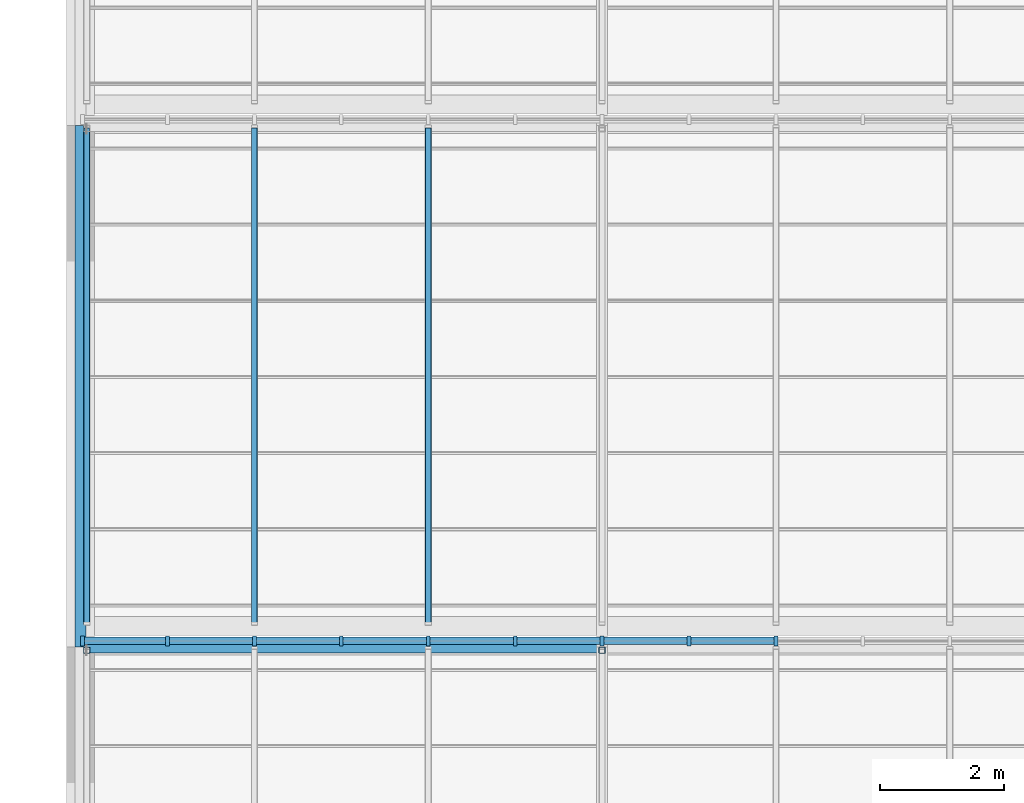
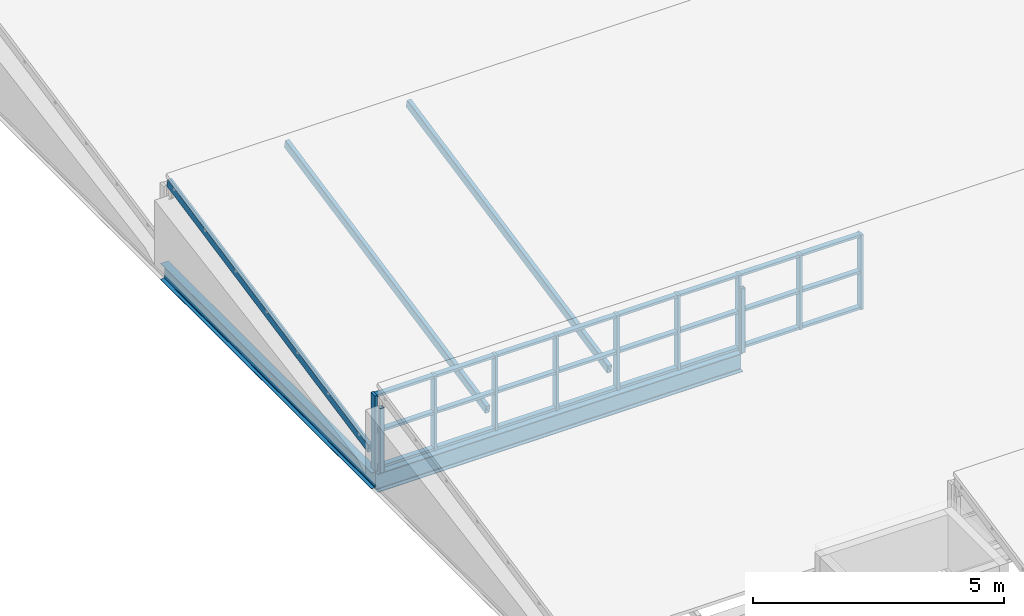
# One storey, part 13 of 121: 38 members, 2 beams, 1 element without a shape of its own.
"""IFC4 building model written with IfcOpenShell, lengths in metres."""

from ifc_helpers import new_model, si_unit, direction, frame, origin, origin_2d, place, context, subcontext, project, spatial, rectangle, hollow_rectangle, i_section, extrude, material, layer, layer_set, material_profile, profile_set, type_object, element, aggregate, save


model = new_model("IFC4")

# Units and contexts
model_context = context("Model", 3, precision=1e-05, world=origin(), true_north=direction((0.0, 1.0)))
body_context = subcontext(model_context, "Body", "Model", "MODEL_VIEW")
ifc_project = project(units=[si_unit("LENGTHUNIT", "METRE"), si_unit("AREAUNIT", "SQUARE_METRE"), si_unit("VOLUMEUNIT", "CUBIC_METRE"), si_unit("PLANEANGLEUNIT", "RADIAN"), si_unit("MASSUNIT", "GRAM", prefix="KILO")], contexts=[model_context])

# Site, building, storey
site_placement = place(None, origin())
site = spatial("IfcSite", under=ifc_project, at=site_placement, CompositionType="ELEMENT")
building_placement = place(site_placement, origin())
building = spatial("IfcBuilding", under=site, at=building_placement, Name="Ardhachandra Cancer Care Centre", CompositionType="ELEMENT")
storey_placement = place(building_placement, frame((0.0, 0.0, 9.0)))
storey = spatial("IfcBuildingStorey", under=building, at=storey_placement, Name="L02", CompositionType="ELEMENT", Elevation=9.0)

# Beams
ifc_material_1 = material(Name="Steel E350 (IS 2062)", Category="steel")
ifc_material_profile_1 = material_profile(ifc_material_1, i_section(OverallWidth=0.179931640625, OverallDepth=0.39990234375, WebThickness=0.008544921875, FlangeThickness=0.013427734375, FilletRadius=0.02099609375, at=origin_2d()), Name="NPB 400x180x66.30")
ifc_profile_set_1 = profile_set([ifc_material_profile_1], Name="Steel E350 (IS 2062)")
beam_type_1 = type_object("IfcBeamType", Name="Beam NPB 400x180x66.30", PredefinedType="BEAM", material=ifc_profile_set_1)
beam_1_placement = place(storey_placement, frame((10.800048828125, 46.199951171875, -0.199951171875), z_axis=(0.0, 1.0, 0.0), x_axis=(-1.0, 0.0, 0.0)))
element("IfcBeam", 1, at=beam_1_placement, inside=storey, type_object=beam_type_1, Name="Roof girder E1-F1", PredefinedType="BEAM", context=body_context, shape_type="SweptSolid", body=[
    extrude(i_section(OverallWidth=0.179931640625, OverallDepth=0.39990234375, WebThickness=0.008544921875, FlangeThickness=0.013427734375, FilletRadius=0.02099609375, at=origin_2d()), origin(), (0.0, 0.0, 1.0), 8.400146484375),
])
ifc_material_2 = material(Name="Steel E350 (IS 2062)", Category="steel")
ifc_material_profile_2 = material_profile(ifc_material_2, i_section(OverallWidth=0.19189453125, OverallDepth=0.4560546875, WebThickness=0.010986328125, FlangeThickness=0.017578125, FilletRadius=0.02099609375, at=origin_2d()), Name="NPB 450x190x92.36")
ifc_profile_set_2 = profile_set([ifc_material_profile_2], Name="Steel E350 (IS 2062)")
beam_type_2 = type_object("IfcBeamType", Name="Beam NPB 450x190x92.36", PredefinedType="BEAM", material=ifc_profile_set_2)
beam_2_placement = place(storey_placement, frame((10.800048828125, 46.199951171875, -0.22802734375), z_axis=(1.0, 0.0, 0.0), x_axis=(0.0, 1.0, 0.0)))
element("IfcBeam", 2, at=beam_2_placement, inside=storey, type_object=beam_type_2, Name="Roof girder E1-E2", PredefinedType="BEAM", context=body_context, shape_type="SweptSolid", body=[
    extrude(i_section(OverallWidth=0.19189453125, OverallDepth=0.4560546875, WebThickness=0.010986328125, FlangeThickness=0.017578125, FilletRadius=0.02099609375, at=origin_2d()), origin(), (0.0, 0.0, 1.0), 8.39990234375),
])

# Curtain wall, members
ifc_material_3 = material(Name="Aluminium extrusion", Category="aluminium")
ifc_layer = layer(ifc_material_3, 0.14990234375)
ifc_layer_set = layer_set([ifc_layer], Name="Aluminium extrusion")
curtain_wall_type = type_object("IfcCurtainWallType", Name="Curtain wall run", PredefinedType="NOTDEFINED", material=ifc_layer_set)
curtain_wall_placement = place(storey_placement, origin())
curtain_wall = element("IfcCurtainWall", 3, at=curtain_wall_placement, inside=storey, type_object=curtain_wall_type, Name="Curtain wall L02 n/0010800_0046300", PredefinedType="NOTDEFINED")
ifc_material_4 = material(Name="Aluminium extrusion", Category="aluminium")
ifc_material_profile_3 = material_profile(ifc_material_4, rectangle(XDim=0.159912109375, YDim=0.06005859375, at=origin_2d()), Name="Curtain wall mullion 60 x 160")
ifc_profile_set_3 = profile_set([ifc_material_profile_3], Name="Aluminium extrusion")
member_type_1 = type_object("IfcMemberType", Name="Curtain wall mullion 60 x 160", PredefinedType="MULLION", material=ifc_profile_set_3)
member_1_placement = place(storey_placement, frame((10.830078125, 46.300048828125, 0.0), z_axis=(0.0, 0.0, 1.0), x_axis=(0.0, 1.0, 0.0)))
member_1 = element("IfcMember", 4, at=member_1_placement, type_object=member_type_1, Name="CW mullion 1", PredefinedType="MULLION", context=body_context, shape_type="SweptSolid", body=[
    extrude(rectangle(XDim=0.159912109375, YDim=0.06005859375, at=origin_2d()), origin(), (0.0, 0.0, 1.0), 1.820068359375),
])
member_2_placement = place(storey_placement, frame((12.199951171875, 46.300048828125, 0.0), z_axis=(0.0, 0.0, 1.0), x_axis=(0.0, 1.0, 0.0)))
member_2 = element("IfcMember", 5, at=member_2_placement, type_object=member_type_1, Name="CW mullion 2", PredefinedType="MULLION", context=body_context, shape_type="SweptSolid", body=[
    extrude(rectangle(XDim=0.159912109375, YDim=0.06005859375, at=origin_2d()), origin(), (0.0, 0.0, 1.0), 1.820068359375),
])
member_3_placement = place(storey_placement, frame((13.60009765625, 46.300048828125, 0.0), z_axis=(0.0, 0.0, 1.0), x_axis=(0.0, 1.0, 0.0)))
member_3 = element("IfcMember", 6, at=member_3_placement, type_object=member_type_1, Name="CW mullion 3", PredefinedType="MULLION", context=body_context, shape_type="SweptSolid", body=[
    extrude(rectangle(XDim=0.159912109375, YDim=0.06005859375, at=origin_2d()), origin(), (0.0, 0.0, 1.0), 1.820068359375),
])
member_4_placement = place(storey_placement, frame((15.0, 46.300048828125, 0.0), z_axis=(0.0, 0.0, 1.0), x_axis=(0.0, 1.0, 0.0)))
member_4 = element("IfcMember", 7, at=member_4_placement, type_object=member_type_1, Name="CW mullion 4", PredefinedType="MULLION", context=body_context, shape_type="SweptSolid", body=[
    extrude(rectangle(XDim=0.159912109375, YDim=0.06005859375, at=origin_2d()), origin(), (0.0, 0.0, 1.0), 1.820068359375),
])
member_5_placement = place(storey_placement, frame((16.39990234375, 46.300048828125, 0.0), z_axis=(0.0, 0.0, 1.0), x_axis=(0.0, 1.0, 0.0)))
member_5 = element("IfcMember", 8, at=member_5_placement, type_object=member_type_1, Name="CW mullion 5", PredefinedType="MULLION", context=body_context, shape_type="SweptSolid", body=[
    extrude(rectangle(XDim=0.159912109375, YDim=0.06005859375, at=origin_2d()), origin(), (0.0, 0.0, 1.0), 1.820068359375),
])
member_6_placement = place(storey_placement, frame((17.800048828125, 46.300048828125, 0.0), z_axis=(0.0, 0.0, 1.0), x_axis=(0.0, 1.0, 0.0)))
member_6 = element("IfcMember", 9, at=member_6_placement, type_object=member_type_1, Name="CW mullion 6", PredefinedType="MULLION", context=body_context, shape_type="SweptSolid", body=[
    extrude(rectangle(XDim=0.159912109375, YDim=0.06005859375, at=origin_2d()), origin(), (0.0, 0.0, 1.0), 1.820068359375),
])
member_7_placement = place(storey_placement, frame((19.199951171875, 46.300048828125, 0.0), z_axis=(0.0, 0.0, 1.0), x_axis=(0.0, 1.0, 0.0)))
member_7 = element("IfcMember", 10, at=member_7_placement, type_object=member_type_1, Name="CW mullion 7", PredefinedType="MULLION", context=body_context, shape_type="SweptSolid", body=[
    extrude(rectangle(XDim=0.159912109375, YDim=0.06005859375, at=origin_2d()), origin(), (0.0, 0.0, 1.0), 1.820068359375),
])
member_8_placement = place(storey_placement, frame((20.60009765625, 46.300048828125, 0.0), z_axis=(0.0, 0.0, 1.0), x_axis=(0.0, 1.0, 0.0)))
member_8 = element("IfcMember", 11, at=member_8_placement, type_object=member_type_1, Name="CW mullion 8", PredefinedType="MULLION", context=body_context, shape_type="SweptSolid", body=[
    extrude(rectangle(XDim=0.159912109375, YDim=0.06005859375, at=origin_2d()), origin(), (0.0, 0.0, 1.0), 1.820068359375),
])
member_9_placement = place(storey_placement, frame((22.0, 46.300048828125, 0.0), z_axis=(0.0, 0.0, 1.0), x_axis=(0.0, 1.0, 0.0)))
member_9 = element("IfcMember", 12, at=member_9_placement, type_object=member_type_1, Name="CW mullion 9", PredefinedType="MULLION", context=body_context, shape_type="SweptSolid", body=[
    extrude(rectangle(XDim=0.159912109375, YDim=0.06005859375, at=origin_2d()), origin(), (0.0, 0.0, 1.0), 1.820068359375),
])
ifc_material_5 = material(Name="Aluminium extrusion", Category="aluminium")
ifc_material_profile_4 = material_profile(ifc_material_5, rectangle(XDim=0.1201171875, YDim=0.06005859375, at=origin_2d()), Name="Curtain wall transom 60 x 120")
ifc_profile_set_4 = profile_set([ifc_material_profile_4], Name="Aluminium extrusion")
member_type_2 = type_object("IfcMemberType", Name="Curtain wall transom 60 x 120", PredefinedType="USERDEFINED", material=ifc_profile_set_4)
member_10_placement = place(storey_placement, frame((10.860107421875, 46.300048828125, 0.030029296875), z_axis=(1.0, 0.0, 0.0), x_axis=(0.0, 1.0, 0.0)))
member_10 = element("IfcMember", 13, at=member_10_placement, type_object=member_type_2, Name="CW transom 1.1", ObjectType="TRANSOM", PredefinedType="USERDEFINED", context=body_context, shape_type="SweptSolid", body=[
    extrude(rectangle(XDim=0.1201171875, YDim=0.06005859375, at=origin_2d()), origin(), (0.0, 0.0, 1.0), 1.309814453125),
])
member_11_placement = place(storey_placement, frame((10.860107421875, 46.300048828125, 0.909912109375), z_axis=(1.0, 0.0, 0.0), x_axis=(0.0, 1.0, 0.0)))
member_11 = element("IfcMember", 14, at=member_11_placement, type_object=member_type_2, Name="CW transom 1.2", ObjectType="TRANSOM", PredefinedType="USERDEFINED", context=body_context, shape_type="SweptSolid", body=[
    extrude(rectangle(XDim=0.1201171875, YDim=0.06005859375, at=origin_2d()), origin(), (0.0, 0.0, 1.0), 1.309814453125),
])
member_12_placement = place(storey_placement, frame((10.860107421875, 46.300048828125, 1.7900390625), z_axis=(1.0, 0.0, 0.0), x_axis=(0.0, 1.0, 0.0)))
member_12 = element("IfcMember", 15, at=member_12_placement, type_object=member_type_2, Name="CW transom 1.3", ObjectType="TRANSOM", PredefinedType="USERDEFINED", context=body_context, shape_type="SweptSolid", body=[
    extrude(rectangle(XDim=0.1201171875, YDim=0.06005859375, at=origin_2d()), origin(), (0.0, 0.0, 1.0), 1.309814453125),
])
member_13_placement = place(storey_placement, frame((12.22998046875, 46.300048828125, 0.030029296875), z_axis=(1.0, 0.0, 0.0), x_axis=(0.0, 1.0, 0.0)))
member_13 = element("IfcMember", 16, at=member_13_placement, type_object=member_type_2, Name="CW transom 2.1", ObjectType="TRANSOM", PredefinedType="USERDEFINED", context=body_context, shape_type="SweptSolid", body=[
    extrude(rectangle(XDim=0.1201171875, YDim=0.06005859375, at=origin_2d()), origin(), (0.0, 0.0, 1.0), 1.340087890625),
])
member_14_placement = place(storey_placement, frame((12.22998046875, 46.300048828125, 0.909912109375), z_axis=(1.0, 0.0, 0.0), x_axis=(0.0, 1.0, 0.0)))
member_14 = element("IfcMember", 17, at=member_14_placement, type_object=member_type_2, Name="CW transom 2.2", ObjectType="TRANSOM", PredefinedType="USERDEFINED", context=body_context, shape_type="SweptSolid", body=[
    extrude(rectangle(XDim=0.1201171875, YDim=0.06005859375, at=origin_2d()), origin(), (0.0, 0.0, 1.0), 1.340087890625),
])
member_15_placement = place(storey_placement, frame((12.22998046875, 46.300048828125, 1.7900390625), z_axis=(1.0, 0.0, 0.0), x_axis=(0.0, 1.0, 0.0)))
member_15 = element("IfcMember", 18, at=member_15_placement, type_object=member_type_2, Name="CW transom 2.3", ObjectType="TRANSOM", PredefinedType="USERDEFINED", context=body_context, shape_type="SweptSolid", body=[
    extrude(rectangle(XDim=0.1201171875, YDim=0.06005859375, at=origin_2d()), origin(), (0.0, 0.0, 1.0), 1.340087890625),
])
member_16_placement = place(storey_placement, frame((13.6298828125, 46.300048828125, 0.030029296875), z_axis=(1.0, 0.0, 0.0), x_axis=(0.0, 1.0, 0.0)))
member_16 = element("IfcMember", 19, at=member_16_placement, type_object=member_type_2, Name="CW transom 3.1", ObjectType="TRANSOM", PredefinedType="USERDEFINED", context=body_context, shape_type="SweptSolid", body=[
    extrude(rectangle(XDim=0.1201171875, YDim=0.06005859375, at=origin_2d()), origin(), (0.0, 0.0, 1.0), 1.340087890625),
])
member_17_placement = place(storey_placement, frame((13.6298828125, 46.300048828125, 0.909912109375), z_axis=(1.0, 0.0, 0.0), x_axis=(0.0, 1.0, 0.0)))
member_17 = element("IfcMember", 20, at=member_17_placement, type_object=member_type_2, Name="CW transom 3.2", ObjectType="TRANSOM", PredefinedType="USERDEFINED", context=body_context, shape_type="SweptSolid", body=[
    extrude(rectangle(XDim=0.1201171875, YDim=0.06005859375, at=origin_2d()), origin(), (0.0, 0.0, 1.0), 1.340087890625),
])
member_18_placement = place(storey_placement, frame((13.6298828125, 46.300048828125, 1.7900390625), z_axis=(1.0, 0.0, 0.0), x_axis=(0.0, 1.0, 0.0)))
member_18 = element("IfcMember", 21, at=member_18_placement, type_object=member_type_2, Name="CW transom 3.3", ObjectType="TRANSOM", PredefinedType="USERDEFINED", context=body_context, shape_type="SweptSolid", body=[
    extrude(rectangle(XDim=0.1201171875, YDim=0.06005859375, at=origin_2d()), origin(), (0.0, 0.0, 1.0), 1.340087890625),
])
member_19_placement = place(storey_placement, frame((15.030029296875, 46.300048828125, 0.030029296875), z_axis=(1.0, 0.0, 0.0), x_axis=(0.0, 1.0, 0.0)))
member_19 = element("IfcMember", 22, at=member_19_placement, type_object=member_type_2, Name="CW transom 4.1", ObjectType="TRANSOM", PredefinedType="USERDEFINED", context=body_context, shape_type="SweptSolid", body=[
    extrude(rectangle(XDim=0.1201171875, YDim=0.06005859375, at=origin_2d()), origin(), (0.0, 0.0, 1.0), 1.340087890625),
])
member_20_placement = place(storey_placement, frame((15.030029296875, 46.300048828125, 0.909912109375), z_axis=(1.0, 0.0, 0.0), x_axis=(0.0, 1.0, 0.0)))
member_20 = element("IfcMember", 23, at=member_20_placement, type_object=member_type_2, Name="CW transom 4.2", ObjectType="TRANSOM", PredefinedType="USERDEFINED", context=body_context, shape_type="SweptSolid", body=[
    extrude(rectangle(XDim=0.1201171875, YDim=0.06005859375, at=origin_2d()), origin(), (0.0, 0.0, 1.0), 1.340087890625),
])
member_21_placement = place(storey_placement, frame((15.030029296875, 46.300048828125, 1.7900390625), z_axis=(1.0, 0.0, 0.0), x_axis=(0.0, 1.0, 0.0)))
member_21 = element("IfcMember", 24, at=member_21_placement, type_object=member_type_2, Name="CW transom 4.3", ObjectType="TRANSOM", PredefinedType="USERDEFINED", context=body_context, shape_type="SweptSolid", body=[
    extrude(rectangle(XDim=0.1201171875, YDim=0.06005859375, at=origin_2d()), origin(), (0.0, 0.0, 1.0), 1.340087890625),
])
member_22_placement = place(storey_placement, frame((16.429931640625, 46.300048828125, 0.030029296875), z_axis=(1.0, 0.0, 0.0), x_axis=(0.0, 1.0, 0.0)))
member_22 = element("IfcMember", 25, at=member_22_placement, type_object=member_type_2, Name="CW transom 5.1", ObjectType="TRANSOM", PredefinedType="USERDEFINED", context=body_context, shape_type="SweptSolid", body=[
    extrude(rectangle(XDim=0.1201171875, YDim=0.06005859375, at=origin_2d()), origin(), (0.0, 0.0, 1.0), 1.340087890625),
])
member_23_placement = place(storey_placement, frame((16.429931640625, 46.300048828125, 0.909912109375), z_axis=(1.0, 0.0, 0.0), x_axis=(0.0, 1.0, 0.0)))
member_23 = element("IfcMember", 26, at=member_23_placement, type_object=member_type_2, Name="CW transom 5.2", ObjectType="TRANSOM", PredefinedType="USERDEFINED", context=body_context, shape_type="SweptSolid", body=[
    extrude(rectangle(XDim=0.1201171875, YDim=0.06005859375, at=origin_2d()), origin(), (0.0, 0.0, 1.0), 1.340087890625),
])
member_24_placement = place(storey_placement, frame((16.429931640625, 46.300048828125, 1.7900390625), z_axis=(1.0, 0.0, 0.0), x_axis=(0.0, 1.0, 0.0)))
member_24 = element("IfcMember", 27, at=member_24_placement, type_object=member_type_2, Name="CW transom 5.3", ObjectType="TRANSOM", PredefinedType="USERDEFINED", context=body_context, shape_type="SweptSolid", body=[
    extrude(rectangle(XDim=0.1201171875, YDim=0.06005859375, at=origin_2d()), origin(), (0.0, 0.0, 1.0), 1.340087890625),
])
member_25_placement = place(storey_placement, frame((17.830078125, 46.300048828125, 0.030029296875), z_axis=(1.0, 0.0, 0.0), x_axis=(0.0, 1.0, 0.0)))
member_25 = element("IfcMember", 28, at=member_25_placement, type_object=member_type_2, Name="CW transom 6.1", ObjectType="TRANSOM", PredefinedType="USERDEFINED", context=body_context, shape_type="SweptSolid", body=[
    extrude(rectangle(XDim=0.1201171875, YDim=0.06005859375, at=origin_2d()), origin(), (0.0, 0.0, 1.0), 1.33984375),
])
member_26_placement = place(storey_placement, frame((17.830078125, 46.300048828125, 0.909912109375), z_axis=(1.0, 0.0, 0.0), x_axis=(0.0, 1.0, 0.0)))
member_26 = element("IfcMember", 29, at=member_26_placement, type_object=member_type_2, Name="CW transom 6.2", ObjectType="TRANSOM", PredefinedType="USERDEFINED", context=body_context, shape_type="SweptSolid", body=[
    extrude(rectangle(XDim=0.1201171875, YDim=0.06005859375, at=origin_2d()), origin(), (0.0, 0.0, 1.0), 1.33984375),
])
member_27_placement = place(storey_placement, frame((17.830078125, 46.300048828125, 1.7900390625), z_axis=(1.0, 0.0, 0.0), x_axis=(0.0, 1.0, 0.0)))
member_27 = element("IfcMember", 30, at=member_27_placement, type_object=member_type_2, Name="CW transom 6.3", ObjectType="TRANSOM", PredefinedType="USERDEFINED", context=body_context, shape_type="SweptSolid", body=[
    extrude(rectangle(XDim=0.1201171875, YDim=0.06005859375, at=origin_2d()), origin(), (0.0, 0.0, 1.0), 1.33984375),
])
member_28_placement = place(storey_placement, frame((19.22998046875, 46.300048828125, 0.030029296875), z_axis=(1.0, 0.0, 0.0), x_axis=(0.0, 1.0, 0.0)))
member_28 = element("IfcMember", 31, at=member_28_placement, type_object=member_type_2, Name="CW transom 7.1", ObjectType="TRANSOM", PredefinedType="USERDEFINED", context=body_context, shape_type="SweptSolid", body=[
    extrude(rectangle(XDim=0.1201171875, YDim=0.06005859375, at=origin_2d()), origin(), (0.0, 0.0, 1.0), 1.340087890625),
])
member_29_placement = place(storey_placement, frame((19.22998046875, 46.300048828125, 0.909912109375), z_axis=(1.0, 0.0, 0.0), x_axis=(0.0, 1.0, 0.0)))
member_29 = element("IfcMember", 32, at=member_29_placement, type_object=member_type_2, Name="CW transom 7.2", ObjectType="TRANSOM", PredefinedType="USERDEFINED", context=body_context, shape_type="SweptSolid", body=[
    extrude(rectangle(XDim=0.1201171875, YDim=0.06005859375, at=origin_2d()), origin(), (0.0, 0.0, 1.0), 1.340087890625),
])
member_30_placement = place(storey_placement, frame((19.22998046875, 46.300048828125, 1.7900390625), z_axis=(1.0, 0.0, 0.0), x_axis=(0.0, 1.0, 0.0)))
member_30 = element("IfcMember", 33, at=member_30_placement, type_object=member_type_2, Name="CW transom 7.3", ObjectType="TRANSOM", PredefinedType="USERDEFINED", context=body_context, shape_type="SweptSolid", body=[
    extrude(rectangle(XDim=0.1201171875, YDim=0.06005859375, at=origin_2d()), origin(), (0.0, 0.0, 1.0), 1.340087890625),
])
member_31_placement = place(storey_placement, frame((20.6298828125, 46.300048828125, 0.030029296875), z_axis=(1.0, 0.0, 0.0), x_axis=(0.0, 1.0, 0.0)))
member_31 = element("IfcMember", 34, at=member_31_placement, type_object=member_type_2, Name="CW transom 8.1", ObjectType="TRANSOM", PredefinedType="USERDEFINED", context=body_context, shape_type="SweptSolid", body=[
    extrude(rectangle(XDim=0.1201171875, YDim=0.06005859375, at=origin_2d()), origin(), (0.0, 0.0, 1.0), 1.340087890625),
])
member_32_placement = place(storey_placement, frame((20.6298828125, 46.300048828125, 0.909912109375), z_axis=(1.0, 0.0, 0.0), x_axis=(0.0, 1.0, 0.0)))
member_32 = element("IfcMember", 35, at=member_32_placement, type_object=member_type_2, Name="CW transom 8.2", ObjectType="TRANSOM", PredefinedType="USERDEFINED", context=body_context, shape_type="SweptSolid", body=[
    extrude(rectangle(XDim=0.1201171875, YDim=0.06005859375, at=origin_2d()), origin(), (0.0, 0.0, 1.0), 1.340087890625),
])
member_33_placement = place(storey_placement, frame((20.6298828125, 46.300048828125, 1.7900390625), z_axis=(1.0, 0.0, 0.0), x_axis=(0.0, 1.0, 0.0)))
member_33 = element("IfcMember", 36, at=member_33_placement, type_object=member_type_2, Name="CW transom 8.3", ObjectType="TRANSOM", PredefinedType="USERDEFINED", context=body_context, shape_type="SweptSolid", body=[
    extrude(rectangle(XDim=0.1201171875, YDim=0.06005859375, at=origin_2d()), origin(), (0.0, 0.0, 1.0), 1.340087890625),
])
aggregate(curtain_wall, [member_1, member_2, member_3, member_4, member_5, member_6, member_7, member_8, member_9, member_10, member_11, member_12, member_13, member_14, member_15, member_16, member_17, member_18, member_19, member_20, member_21, member_22, member_23, member_24, member_25, member_26, member_27, member_28, member_29, member_30, member_31, member_32, member_33])

# Members
ifc_material_6 = material(Name="Steel E350 (IS 2062)", Category="steel")
ifc_material_profile_5 = material_profile(ifc_material_6, hollow_rectangle(XDim=0.10009765625, YDim=0.199951171875, WallThickness=0.006103515625, InnerFilletRadius=0.006103515625, OuterFilletRadius=0.011962890625, at=origin_2d()), Name="RHS 200x100x6.0")
ifc_profile_set_5 = profile_set([ifc_material_profile_5], Name="Steel E350 (IS 2062)")
member_type_3 = type_object("IfcMemberType", Name="Roof rafter RHS 200x100x6.0", PredefinedType="RAFTER", material=ifc_profile_set_5)
for number, where, z_axis, x_axis, name in (
    (37, (10.89990234375, 46.580078125, 0.298095703125), (0.0, 0.980109665583, 0.198456653782), (-1.0, 0.0, 0.0), "Rafter T3a.1"),
    (38, (13.60009765625, 46.580078125, 0.298095703125), (0.0, 0.980109665583, 0.198456653782), (-1.0, 0.0, 0.0), "Rafter T3a.2"),
    (39, (16.39990234375, 46.580078125, 0.298095703125), (0.0, 0.980109665583, 0.198456653782), (-1.0, 0.0, 0.0), "Rafter T3a.3"),
):
    element("IfcMember", number, at=place(storey_placement, frame(where, z_axis=z_axis, x_axis=x_axis)), inside=storey, type_object=member_type_3, Name=name, PredefinedType="RAFTER", context=body_context, shape_type="SweptSolid", body=[
        extrude(hollow_rectangle(XDim=0.10009765625, YDim=0.199951171875, WallThickness=0.006103515625, InnerFilletRadius=0.006103515625, OuterFilletRadius=0.011962890625, at=origin_2d()), origin(), (0.0, 0.0, 1.0), 8.162353515625),
    ])
ifc_material_7 = material(Name="Steel E350 (IS 2062)", Category="steel")
ifc_material_profile_6 = material_profile(ifc_material_7, hollow_rectangle(XDim=0.10009765625, YDim=0.10009765625, WallThickness=0.0048828125, InnerFilletRadius=0.0048828125, OuterFilletRadius=0.010009765625, at=origin_2d()), Name="SHS 100x100x5.0")
ifc_profile_set_6 = profile_set([ifc_material_profile_6], Name="Steel E350 (IS 2062)")
member_type_4 = type_object("IfcMemberType", Name="Sawtooth ridge post SHS 100x100x5.0", PredefinedType="POST", material=ifc_profile_set_6)
for number, where, z_axis, x_axis, name in (
    (40, (10.89990234375, 46.14990234375, 0.0), (0.0, 0.0, 1.0), (1.0, 0.0, 0.0), "Ridge post T2a.1"),
    (41, (19.199951171875, 46.14990234375, 0.0), (0.0, 0.0, 1.0), (1.0, 0.0, 0.0), "Ridge post T2a.2"),
):
    element("IfcMember", number, at=place(storey_placement, frame(where, z_axis=z_axis, x_axis=x_axis)), inside=storey, type_object=member_type_4, Name=name, PredefinedType="POST", context=body_context, shape_type="SweptSolid", body=[
        extrude(hollow_rectangle(XDim=0.10009765625, YDim=0.10009765625, WallThickness=0.0048828125, InnerFilletRadius=0.0048828125, OuterFilletRadius=0.010009765625, at=origin_2d()), origin(), (0.0, 0.0, 1.0), 1.5673828125),
    ])

save(model, "model.ifc")
